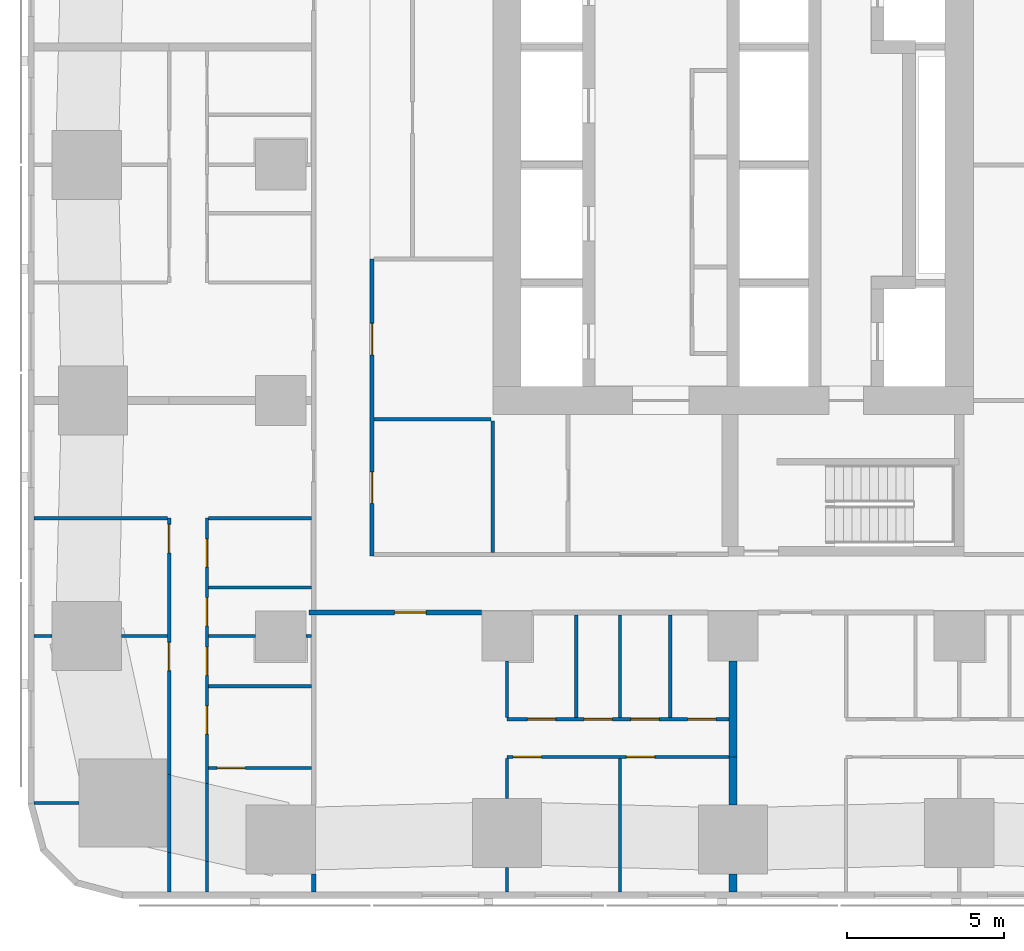
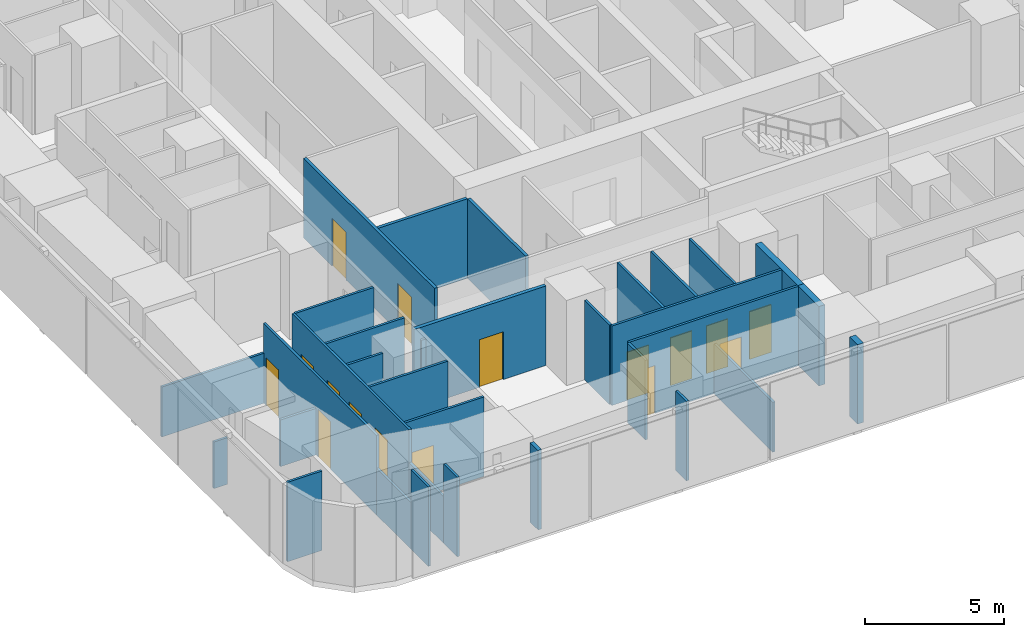
# One storey, part 2 of 15: 33 walls, 16 doors, 16 openings.
"""IFC4 building model written with IfcOpenShell, lengths in metres."""

import ifcopenshell
import ifcopenshell.guid

model = None  # the IFC model being written
_history = None  # IfcOwnerHistory: only IFC2X3 demands one
_inside = {}  # id of a spatial element -> (the spatial element, [elements in it])
_under = {}  # id of a project, library or spatial element -> (it, [spatial elements below it])
_declared = {}  # id of a project -> (the project, [libraries it declares])
_typed = {}  # id of a type object -> (the type object, [elements of that type])
_made_of = {}  # id of a material, layer set ... -> (it, [elements and type objects made of it])


def new_model(schema):
    """Start an empty IFC model of exactly this schema.

    Asked for "IFC4X3", IfcOpenShell would pick the latest addendum, in which some entities
    have other attributes; the version numbers below select the first issue.
    IFC2X3 requires an IfcOwnerHistory on every rooted entity: one is made here for all.
    """
    global model, _history
    if schema == "IFC4X3":
        model = ifcopenshell.file(schema_version=(4, 3, 0, 0))
    else:
        model = ifcopenshell.file(schema=schema)
    _inside.clear()
    _under.clear()
    _declared.clear()
    _typed.clear()
    _made_of.clear()
    _history = None
    if model.schema == "IFC2X3":
        org = make("IfcOrganization", Name="unknown")
        user = make(
            "IfcPersonAndOrganization",
            ThePerson=make("IfcPerson", FamilyName="unknown"),
            TheOrganization=org,
        )
        app = make(
            "IfcApplication",
            ApplicationDeveloper=org,
            Version="unknown",
            ApplicationFullName="unknown",
            ApplicationIdentifier="unknown",
        )
        _history = make(
            "IfcOwnerHistory",
            OwningUser=user,
            OwningApplication=app,
            ChangeAction="ADDED",
            CreationDate=0,
        )
    return model


def make(cls, **values):
    """One entity of the class cls with the attributes given. An attribute that is None is left unset."""
    return model.create_entity(
        cls, **{name: value for name, value in values.items() if value is not None}
    )


def rooted(cls, **values):
    """An entity with a GlobalId (a new one), such as an element, a storey or a relation."""
    return make(cls, GlobalId=ifcopenshell.guid.new(), OwnerHistory=_history, **values)


def si_unit(unit_type, name, prefix=None):
    """IfcSIUnit, for example si_unit("LENGTHUNIT", "METRE", prefix="MILLI")."""
    return make("IfcSIUnit", UnitType=unit_type, Prefix=prefix, Name=name)


def assignment(units):
    """IfcUnitAssignment: the units of a project."""
    return None if units is None else make("IfcUnitAssignment", Units=units)


def point(xyz):
    """IfcCartesianPoint."""
    return None if xyz is None else make("IfcCartesianPoint", Coordinates=xyz)


def direction(xyz):
    """IfcDirection."""
    return None if xyz is None else make("IfcDirection", DirectionRatios=xyz)


def frame(location, z_axis=None, x_axis=None):
    """IfcAxis2Placement3D, a coordinate frame: its origin and axes. An axis left out is left unset."""
    return make(
        "IfcAxis2Placement3D",
        Location=point(location),
        Axis=direction(z_axis),
        RefDirection=direction(x_axis),
    )


def frame_2d(location, x_axis=None):
    """IfcAxis2Placement2D, a coordinate frame in the plane: its origin and x axis."""
    return make(
        "IfcAxis2Placement2D", Location=point(location), RefDirection=direction(x_axis)
    )


def origin():
    """The frame at (0, 0, 0) with its axes left unset."""
    return frame((0.0, 0.0, 0.0))


def place(relative_to, where):
    """IfcLocalPlacement: puts the frame where relative to a parent placement (None: the world)."""
    return make(
        "IfcLocalPlacement", PlacementRelTo=relative_to, RelativePlacement=where
    )


def context(
    kind, dimensions, precision=None, world=None, true_north=None, identifier=None
):
    """IfcGeometricRepresentationContext, for example the 3D "Model" context."""
    return make(
        "IfcGeometricRepresentationContext",
        ContextIdentifier=identifier,
        ContextType=kind,
        CoordinateSpaceDimension=dimensions,
        Precision=precision,
        WorldCoordinateSystem=world,
        TrueNorth=true_north,
    )


def subcontext(parent, identifier, kind, view, scale=None):
    """IfcGeometricRepresentationSubContext, for example "Body" below "Model"."""
    return make(
        "IfcGeometricRepresentationSubContext",
        ContextIdentifier=identifier,
        ContextType=kind,
        ParentContext=parent,
        TargetScale=scale,
        TargetView=view,
    )


def project(units=None, contexts=None):
    """IfcProject with its units and contexts."""
    return rooted(
        "IfcProject",
        Name="project",
        RepresentationContexts=contexts,
        UnitsInContext=assignment(units),
    )


def spatial(cls, under=None, at=None, **own):
    """A site, building, storey or space (cls), placed at a placement, below another one or the project."""
    s = rooted(cls, ObjectPlacement=at, **own)
    if under is not None:
        _under.setdefault(under.id(), (under, []))[1].append(s)
    return s


def profile(cls, at=None, kind="AREA", **sizes):
    """A parametric profile (cls). Its sizes go by their IFC names, for example OverallWidth=200.0."""
    return make(cls, ProfileType=kind, Position=at, **sizes)


def rectangle(**sizes):
    """IfcRectangleProfileDef."""
    return profile("IfcRectangleProfileDef", **sizes)


def extrude(swept, where, along, depth):
    """IfcExtrudedAreaSolid: the profile swept, set in the frame where, extruded along a direction by depth."""
    return make(
        "IfcExtrudedAreaSolid",
        SweptArea=swept,
        Position=where,
        ExtrudedDirection=direction(along),
        Depth=depth,
    )


def shape(context_of_items, identifier, shape_type, items):
    """IfcShapeRepresentation: the items that make up one representation, for example the "Body"."""
    return make(
        "IfcShapeRepresentation",
        ContextOfItems=context_of_items,
        RepresentationIdentifier=identifier,
        RepresentationType=shape_type,
        Items=items,
    )


def material(Name=None, Category=None):
    """IfcMaterial."""
    return make("IfcMaterial", Name=Name, Category=Category)


def layer(
    of_material, thickness, ventilated=None, Name=None, Category=None, Priority=None
):
    """IfcMaterialLayer: one layer of a wall or slab, of a material (None: an air gap)."""
    return make(
        "IfcMaterialLayer",
        Material=of_material,
        LayerThickness=thickness,
        IsVentilated=ventilated,
        Name=Name,
        Category=Category,
        Priority=Priority,
    )


def layer_set(layers, Name=None):
    """IfcMaterialLayerSet."""
    return make("IfcMaterialLayerSet", MaterialLayers=layers, LayerSetName=Name)


def made_of(thing, what):
    """Note that an element or type object is made of a material, layer set ...; save() writes the relation."""
    if what is not None:
        _made_of.setdefault(what.id(), (what, []))[1].append(thing)
    return thing


def type_object(cls, material=None, **own):
    """A type object (cls), such as IfcWallType, which elements share."""
    return made_of(rooted(cls, **own), material)


def element(
    cls,
    number,
    at=None,
    inside=None,
    cuts=None,
    type_object=None,
    material=None,
    context=None,
    identifier="Body",
    shape_type=None,
    held_by="IfcProductDefinitionShape",
    body=None,
    shapes=None,
    **own,
):
    """One element of the class cls, such as IfcWall. Its Tag is "e" and its number.

    at: its placement. inside: the storey or other place that contains it. cuts: it is an
    opening in that element (IfcRelVoidsElement). A single representation is given by context,
    identifier, shape_type and body (its items); several are given by shapes. held_by: the class
    of the entity that holds the representations. save() writes the other relations.
    """
    e = rooted(cls, Tag="e%d" % number, ObjectPlacement=at, **own)
    if body is not None:
        shapes = [shape(context, identifier, shape_type, body)]
    if shapes is not None:
        e.Representation = make(held_by, Representations=shapes)
    if inside is not None:
        _inside.setdefault(inside.id(), (inside, []))[1].append(e)
    if cuts is not None:
        rooted(
            "IfcRelVoidsElement", RelatingBuildingElement=cuts, RelatedOpeningElement=e
        )
    if type_object is not None:
        _typed.setdefault(type_object.id(), (type_object, []))[1].append(e)
    return made_of(e, material)


def fill(opening, filler):
    """IfcRelFillsElement: the door or window that sits in an opening."""
    return rooted(
        "IfcRelFillsElement",
        RelatingOpeningElement=opening,
        RelatedBuildingElement=filler,
    )


def aggregate(whole, parts):
    """IfcRelAggregates: a whole, such as a stair, and the parts it consists of."""
    return rooted("IfcRelAggregates", RelatingObject=whole, RelatedObjects=parts)


def save(model, path):
    """Write the relations noted so far, then the file.

    IfcRelAggregates (storeys below a building ...), IfcRelContainedInSpatialStructure (elements
    in a storey), IfcRelDefinesByType, IfcRelAssociatesMaterial and IfcRelDeclares: one each for
    every whole, place, type object, material and project.
    """
    for whole, parts in _under.values():
        aggregate(whole, parts)
    for where, things in _inside.values():
        rooted(
            "IfcRelContainedInSpatialStructure",
            RelatedElements=things,
            RelatingStructure=where,
        )
    for kind, things in _typed.values():
        rooted("IfcRelDefinesByType", RelatedObjects=things, RelatingType=kind)
    for what, things in _made_of.values():
        rooted("IfcRelAssociatesMaterial", RelatedObjects=things, RelatingMaterial=what)
    for by, libraries in _declared.values():
        rooted("IfcRelDeclares", RelatingContext=by, RelatedDefinitions=libraries)
    model.write(path)


model = new_model("IFC4")

# Units and contexts
model_context = context("Model", 3, precision=1e-05, world=origin(), true_north=direction((0.0, 1.0)))
body_context = subcontext(model_context, "Body", "Model", "MODEL_VIEW")
ifc_project = project(units=[si_unit("LENGTHUNIT", "METRE"), si_unit("AREAUNIT", "SQUARE_METRE"), si_unit("VOLUMEUNIT", "CUBIC_METRE"), si_unit("PLANEANGLEUNIT", "RADIAN"), si_unit("MASSUNIT", "GRAM", prefix="KILO")], contexts=[model_context])

# Site, building, storey
site_placement = place(None, origin())
site = spatial("IfcSite", under=ifc_project, at=site_placement, CompositionType="ELEMENT")
building_placement = place(site_placement, origin())
building = spatial("IfcBuilding", under=site, at=building_placement, Name="Sheger Commons Tower", CompositionType="ELEMENT")
storey_placement = place(building_placement, frame((0.0, 0.0, 100.39990234375)))
storey = spatial("IfcBuildingStorey", under=building, at=storey_placement, Name="L25", CompositionType="ELEMENT", Elevation=100.39990234375)

# Wall
ifc_material_1 = material(Name="Hollow concrete block masonry, skimmed both sides", Category="masonry")
ifc_layer_1 = layer(ifc_material_1, 0.14990234375)
ifc_layer_set_1 = layer_set([ifc_layer_1], Name="CORRIDOR WALL 150")
wall_type_1 = type_object("IfcWallType", Name="CORRIDOR WALL 150", PredefinedType="SOLIDWALL", material=ifc_layer_set_1)
wall_1_placement = place(storey_placement, frame((8.25, -0.64990234375, 0.0), z_axis=(0.0, 0.0, 1.0), x_axis=(0.0, 1.0, 0.0)))
element("IfcWall", 1, at=wall_1_placement, inside=storey, type_object=wall_type_1, Name="Corridor wall L25", PredefinedType="SOLIDWALL", context=body_context, shape_type="SweptSolid", body=[
    extrude(rectangle(XDim=0.573974609375, YDim=0.14990234375, at=frame_2d((0.287109375, 0.0))), origin(), (0.0, 0.0, 1.0), 3.5),
])

# Wall, opening, door
wall_2_placement = place(storey_placement, frame((13.59912109375, 8.25, 0.0), z_axis=(0.0, 0.0, 1.0), x_axis=(-1.0, 0.0, 0.0)))
wall_2 = element("IfcWall", 2, at=wall_2_placement, inside=storey, type_object=wall_type_1, Name="Corridor wall L25", PredefinedType="SOLIDWALL", context=body_context, shape_type="SweptSolid", body=[
    extrude(rectangle(XDim=5.4990234375, YDim=0.14990234375, at=frame_2d((2.74951171875, 0.0))), origin(), (0.0, 0.0, 1.0), 3.5),
])
opening_1_placement = place(wall_2_placement, frame((1.77392578125, 0.0, 0.0)))
opening_1 = element("IfcOpeningElement", 3, at=opening_1_placement, cuts=wall_2, Name="Opening D1", PredefinedType="OPENING", context=body_context, shape_type="SweptSolid", body=[
    extrude(rectangle(XDim=1.0, YDim=2.10009765625, at=frame_2d((0.5, 1.050048828125))), frame((0.0, 0.0849609375, 0.0), z_axis=(0.0, -1.0, 0.0), x_axis=(1.0, 0.0, 0.0)), (0.0, 0.0, 1.0), 0.169921875),
])
ifc_material_2 = material(Name="Steel door set, fire rated", Category="steel")
door_type_1 = type_object("IfcDoorType", Name="FLAT ENTRANCE DOOR 1000x2100", OperationType="NOTDEFINED", PredefinedType="DOOR", material=ifc_material_2)
door_1_placement = place(opening_1_placement, origin())
door_1 = element("IfcDoor", 4, at=door_1_placement, inside=storey, type_object=door_type_1, Name="Flat entrance door", OperationType="SINGLE_SWING_RIGHT", OverallHeight=2.10009765625, OverallWidth=1.0, PredefinedType="DOOR", context=body_context, shape_type="SweptSolid", body=[
    extrude(rectangle(XDim=1.0, YDim=2.10009765625, at=frame_2d((0.5, 1.050048828125))), frame((0.0, 0.02490234375, 0.0), z_axis=(0.0, -1.0, 0.0), x_axis=(1.0, 0.0, 0.0)), (0.0, 0.0, 1.0), 0.050048828125),
])
fill(opening_1, door_1)

# Walls
ifc_material_3 = material(Name="Dense concrete block masonry, plastered both sides (separating wall between flats)", Category="masonry")
ifc_layer_2 = layer(ifc_material_3, 0.25)
ifc_layer_set_2 = layer_set([ifc_layer_2], Name="DEMISING WALL 250")
wall_type_2 = type_object("IfcWallType", Name="DEMISING WALL 250", PredefinedType="SOLIDWALL", material=ifc_layer_set_2)
wall_3_placement = place(storey_placement, frame((21.60009765625, -0.64990234375, 0.0), z_axis=(0.0, 0.0, 1.0), x_axis=(0.0, 1.0, 0.0)))
element("IfcWall", 5, at=wall_3_placement, inside=storey, type_object=wall_type_2, Name="Demising wall L25", PredefinedType="SOLIDWALL", context=body_context, shape_type="SweptSolid", body=[
    extrude(rectangle(XDim=0.573974609375, YDim=0.25, at=frame_2d((0.287109375, 0.0))), origin(), (0.0, 0.0, 1.0), 3.5),
])
wall_4_placement = place(storey_placement, frame((21.60009765625, 2.1259765625, 0.0), z_axis=(0.0, 0.0, 1.0), x_axis=(0.0, 1.0, 0.0)))
element("IfcWall", 6, at=wall_4_placement, inside=storey, type_object=wall_type_2, Name="Demising wall L25", PredefinedType="SOLIDWALL", context=body_context, shape_type="SweptSolid", body=[
    extrude(rectangle(XDim=1.52392578125, YDim=0.25, at=frame_2d((0.761962890625, 0.0))), origin(), (0.0, 0.0, 1.0), 3.5),
])
wall_5_placement = place(storey_placement, frame((21.60009765625, 3.64990234375, 0.0), z_axis=(0.0, 0.0, 1.0), x_axis=(0.0, 1.0, 0.0)))
element("IfcWall", 7, at=wall_5_placement, inside=storey, type_object=wall_type_2, Name="Demising wall L25", PredefinedType="SOLIDWALL", context=body_context, shape_type="SweptSolid", body=[
    extrude(rectangle(XDim=3.049072265625, YDim=0.25, at=frame_2d((1.5244140625, 0.0))), origin(), (0.0, 0.0, 1.0), 3.5),
])
ifc_material_4 = material(Name="Gypsum board on steel studs", Category="steel")
ifc_layer_3 = layer(ifc_material_4, 0.10009765625)
ifc_layer_set_3 = layer_set([ifc_layer_3], Name="PARTITION 100")
wall_type_3 = type_object("IfcWallType", Name="PARTITION 100", PredefinedType="PARTITIONING", material=ifc_layer_set_3)
wall_6_placement = place(storey_placement, frame((3.64990234375, -0.64990234375, 0.0), z_axis=(0.0, 0.0, 1.0), x_axis=(0.0, 1.0, 0.0)))
element("IfcWall", 8, at=wall_6_placement, inside=storey, type_object=wall_type_3, Name="Partition L25", PredefinedType="PARTITIONING", context=body_context, shape_type="SweptSolid", body=[
    extrude(rectangle(XDim=1.25390625, YDim=0.10009765625, at=frame_2d((0.626953125, 0.0))), origin(), (0.0, 0.0, 1.0), 3.5),
])
wall_7_placement = place(storey_placement, frame((3.64990234375, 0.60400390625, 0.0), z_axis=(0.0, 0.0, 1.0), x_axis=(0.0, 1.0, 0.0)))
element("IfcWall", 9, at=wall_7_placement, inside=storey, type_object=wall_type_3, Name="Partition L25", PredefinedType="PARTITIONING", context=body_context, shape_type="SweptSolid", body=[
    extrude(rectangle(XDim=2.486083984375, YDim=0.10009765625, at=frame_2d((1.2431640625, 0.0))), origin(), (0.0, 0.0, 1.0), 2.050048828125),
])

# Wall, openings, doors
wall_8_placement = place(storey_placement, frame((3.64990234375, 3.090087890625, 0.0), z_axis=(0.0, 0.0, 1.0), x_axis=(0.0, 1.0, 0.0)))
wall_8 = element("IfcWall", 10, at=wall_8_placement, inside=storey, type_object=wall_type_3, Name="Partition L25", PredefinedType="PARTITIONING", context=body_context, shape_type="SweptSolid", body=[
    extrude(rectangle(XDim=8.159912109375, YDim=0.10009765625, at=frame_2d((4.080078125, 0.0))), origin(), (0.0, 0.0, 1.0), 3.5),
])
opening_2_placement = place(wall_8_placement, frame((7.06005859375, 0.0, 0.0)))
opening_2 = element("IfcOpeningElement", 11, at=opening_2_placement, cuts=wall_8, Name="Opening D2", PredefinedType="OPENING", context=body_context, shape_type="SweptSolid", body=[
    extrude(rectangle(XDim=0.89990234375, YDim=2.10009765625, at=frame_2d((0.449951171875, 1.050048828125))), frame((0.0, 0.06005859375, 0.0), z_axis=(0.0, -1.0, 0.0), x_axis=(1.0, 0.0, 0.0)), (0.0, 0.0, 1.0), 0.1201171875),
])
opening_3_placement = place(wall_8_placement, frame((3.31005859375, 0.0, 0.0)))
opening_3 = element("IfcOpeningElement", 12, at=opening_3_placement, cuts=wall_8, Name="Opening D2", PredefinedType="OPENING", context=body_context, shape_type="SweptSolid", body=[
    extrude(rectangle(XDim=0.89990234375, YDim=2.10009765625, at=frame_2d((0.449951171875, 1.050048828125))), frame((0.0, 0.06005859375, 0.0), z_axis=(0.0, -1.0, 0.0), x_axis=(1.0, 0.0, 0.0)), (0.0, 0.0, 1.0), 0.1201171875),
])
ifc_material_5 = material(Name="Timber door set", Category="wood")
door_type_2 = type_object("IfcDoorType", Name="INTERNAL DOOR 900x2100", OperationType="NOTDEFINED", PredefinedType="DOOR", material=ifc_material_5)
door_2_placement = place(opening_2_placement, origin())
door_2 = element("IfcDoor", 13, at=door_2_placement, inside=storey, type_object=door_type_2, Name="Main bedroom door", OperationType="SINGLE_SWING_RIGHT", OverallHeight=2.10009765625, OverallWidth=0.89990234375, PredefinedType="DOOR", context=body_context, shape_type="SweptSolid", body=[
    extrude(rectangle(XDim=0.89990234375, YDim=2.10009765625, at=frame_2d((0.449951171875, 1.050048828125))), frame((0.0, 0.02490234375, 0.0), z_axis=(0.0, -1.0, 0.0), x_axis=(1.0, 0.0, 0.0)), (0.0, 0.0, 1.0), 0.050048828125),
])
fill(opening_2, door_2)
door_3_placement = place(opening_3_placement, origin())
door_3 = element("IfcDoor", 14, at=door_3_placement, inside=storey, type_object=door_type_2, Name="Bedroom 2 door", OperationType="SINGLE_SWING_RIGHT", OverallHeight=2.10009765625, OverallWidth=0.89990234375, PredefinedType="DOOR", context=body_context, shape_type="SweptSolid", body=[
    extrude(rectangle(XDim=0.89990234375, YDim=2.10009765625, at=frame_2d((0.449951171875, 1.050048828125))), frame((0.0, 0.02490234375, 0.0), z_axis=(0.0, -1.0, 0.0), x_axis=(1.0, 0.0, 0.0)), (0.0, 0.0, 1.0), 0.050048828125),
])
fill(opening_3, door_3)

# Walls
wall_9_placement = place(storey_placement, frame((4.85009765625, -0.64990234375, 0.0), z_axis=(0.0, 0.0, 1.0), x_axis=(0.0, 1.0, 0.0)))
element("IfcWall", 15, at=wall_9_placement, inside=storey, type_object=wall_type_3, Name="Partition L25", PredefinedType="PARTITIONING", context=body_context, shape_type="SweptSolid", body=[
    extrude(rectangle(XDim=0.975830078125, YDim=0.10009765625, at=frame_2d((0.48779296875, 0.0))), origin(), (0.0, 0.0, 1.0), 3.5),
])
wall_10_placement = place(storey_placement, frame((4.85009765625, 0.325927734375, 0.0), z_axis=(0.0, 0.0, 1.0), x_axis=(0.0, 1.0, 0.0)))
element("IfcWall", 16, at=wall_10_placement, inside=storey, type_object=wall_type_3, Name="Partition L25", PredefinedType="PARTITIONING", context=body_context, shape_type="SweptSolid", body=[
    extrude(rectangle(XDim=2.486083984375, YDim=0.10009765625, at=frame_2d((1.2431640625, 0.0))), origin(), (0.0, 0.0, 1.0), 2.050048828125),
])

# Wall, openings, doors
wall_11_placement = place(storey_placement, frame((4.85009765625, 2.81201171875, 0.0), z_axis=(0.0, 0.0, 1.0), x_axis=(0.0, 1.0, 0.0)))
wall_11 = element("IfcWall", 17, at=wall_11_placement, inside=storey, type_object=wall_type_3, Name="Partition L25", PredefinedType="PARTITIONING", context=body_context, shape_type="SweptSolid", body=[
    extrude(rectangle(XDim=8.43798828125, YDim=0.10009765625, at=frame_2d((4.218994140625, 0.0))), origin(), (0.0, 0.0, 1.0), 3.5),
])
opening_4_placement = place(wall_11_placement, frame((6.883056640625, 0.0, 0.0)))
opening_4 = element("IfcOpeningElement", 18, at=opening_4_placement, cuts=wall_11, Name="Opening D2", PredefinedType="OPENING", context=body_context, shape_type="SweptSolid", body=[
    extrude(rectangle(XDim=0.89990234375, YDim=2.10009765625, at=frame_2d((0.449951171875, 1.050048828125))), frame((0.0, 0.06005859375, 0.0), z_axis=(0.0, -1.0, 0.0), x_axis=(1.0, 0.0, 0.0)), (0.0, 0.0, 1.0), 0.1201171875),
])
opening_5_placement = place(wall_11_placement, frame((3.43798828125, 0.0, 0.0)))
opening_5 = element("IfcOpeningElement", 19, at=opening_5_placement, cuts=wall_11, Name="Opening D2", PredefinedType="OPENING", context=body_context, shape_type="SweptSolid", body=[
    extrude(rectangle(XDim=0.89990234375, YDim=2.10009765625, at=frame_2d((0.449951171875, 1.050048828125))), frame((0.0, 0.06005859375, 0.0), z_axis=(0.0, -1.0, 0.0), x_axis=(1.0, 0.0, 0.0)), (0.0, 0.0, 1.0), 0.1201171875),
])
opening_6_placement = place(wall_11_placement, frame((5.008056640625, 0.0, 0.0)))
opening_6 = element("IfcOpeningElement", 20, at=opening_6_placement, cuts=wall_11, Name="Opening D2", PredefinedType="OPENING", context=body_context, shape_type="SweptSolid", body=[
    extrude(rectangle(XDim=0.89990234375, YDim=2.10009765625, at=frame_2d((0.449951171875, 1.050048828125))), frame((0.0, 0.06005859375, 0.0), z_axis=(0.0, -1.0, 0.0), x_axis=(1.0, 0.0, 0.0)), (0.0, 0.0, 1.0), 0.1201171875),
])
opening_7_placement = place(wall_11_placement, frame((1.56298828125, 0.0, 0.0)))
opening_7 = element("IfcOpeningElement", 21, at=opening_7_placement, cuts=wall_11, Name="Opening D2", PredefinedType="OPENING", context=body_context, shape_type="SweptSolid", body=[
    extrude(rectangle(XDim=0.89990234375, YDim=2.10009765625, at=frame_2d((0.449951171875, 1.050048828125))), frame((0.0, 0.06005859375, 0.0), z_axis=(0.0, -1.0, 0.0), x_axis=(1.0, 0.0, 0.0)), (0.0, 0.0, 1.0), 0.1201171875),
])
door_4_placement = place(opening_4_placement, origin())
door_4 = element("IfcDoor", 22, at=door_4_placement, inside=storey, type_object=door_type_2, Name="Bathroom door", OperationType="SINGLE_SWING_LEFT", OverallHeight=2.10009765625, OverallWidth=0.89990234375, PredefinedType="DOOR", context=body_context, shape_type="SweptSolid", body=[
    extrude(rectangle(XDim=0.89990234375, YDim=2.10009765625, at=frame_2d((0.449951171875, 1.050048828125))), frame((0.0, 0.02490234375, 0.0), z_axis=(0.0, -1.0, 0.0), x_axis=(1.0, 0.0, 0.0)), (0.0, 0.0, 1.0), 0.050048828125),
])
fill(opening_4, door_4)
door_5_placement = place(opening_5_placement, origin())
door_5 = element("IfcDoor", 23, at=door_5_placement, inside=storey, type_object=door_type_2, Name="Shower room door", OperationType="SINGLE_SWING_LEFT", OverallHeight=2.10009765625, OverallWidth=0.89990234375, PredefinedType="DOOR", context=body_context, shape_type="SweptSolid", body=[
    extrude(rectangle(XDim=0.89990234375, YDim=2.10009765625, at=frame_2d((0.449951171875, 1.050048828125))), frame((0.0, 0.02490234375, 0.0), z_axis=(0.0, -1.0, 0.0), x_axis=(1.0, 0.0, 0.0)), (0.0, 0.0, 1.0), 0.050048828125),
])
fill(opening_5, door_5)
door_6_placement = place(opening_6_placement, origin())
door_6 = element("IfcDoor", 24, at=door_6_placement, inside=storey, type_object=door_type_2, Name="Store door", OperationType="SINGLE_SWING_RIGHT", OverallHeight=2.10009765625, OverallWidth=0.89990234375, PredefinedType="DOOR", context=body_context, shape_type="SweptSolid", body=[
    extrude(rectangle(XDim=0.89990234375, YDim=2.10009765625, at=frame_2d((0.449951171875, 1.050048828125))), frame((0.0, 0.02490234375, 0.0), z_axis=(0.0, -1.0, 0.0), x_axis=(1.0, 0.0, 0.0)), (0.0, 0.0, 1.0), 0.050048828125),
])
fill(opening_6, door_6)
door_7_placement = place(opening_7_placement, origin())
door_7 = element("IfcDoor", 25, at=door_7_placement, inside=storey, type_object=door_type_2, Name="Store door", OperationType="SINGLE_SWING_LEFT", OverallHeight=2.10009765625, OverallWidth=0.89990234375, PredefinedType="DOOR", context=body_context, shape_type="SweptSolid", body=[
    extrude(rectangle(XDim=0.89990234375, YDim=2.10009765625, at=frame_2d((0.449951171875, 1.050048828125))), frame((0.0, 0.02490234375, 0.0), z_axis=(0.0, -1.0, 0.0), x_axis=(1.0, 0.0, 0.0)), (0.0, 0.0, 1.0), 0.050048828125),
])
fill(opening_7, door_7)

# Walls
wall_12_placement = place(storey_placement, frame((-0.64990234375, 2.18603515625, 0.0), z_axis=(0.0, 0.0, 1.0), x_axis=(1.0, 0.0, 0.0)))
element("IfcWall", 26, at=wall_12_placement, inside=storey, type_object=wall_type_3, Name="Partition L25", PredefinedType="PARTITIONING", context=body_context, shape_type="SweptSolid", body=[
    extrude(rectangle(XDim=1.434814453125, YDim=0.10009765625, at=frame_2d((0.71728515625, 0.0))), origin(), (0.0, 0.0, 1.0), 3.5),
])
wall_13_placement = place(storey_placement, frame((-0.64990234375, 7.5, 0.0), z_axis=(0.0, 0.0, 1.0), x_axis=(1.0, 0.0, 0.0)))
element("IfcWall", 27, at=wall_13_placement, inside=storey, type_object=wall_type_3, Name="Partition L25", PredefinedType="PARTITIONING", context=body_context, shape_type="SweptSolid", body=[
    extrude(rectangle(XDim=0.573974609375, YDim=0.10009765625, at=frame_2d((0.287109375, 0.0))), origin(), (0.0, 0.0, 1.0), 2.050048828125),
])
wall_14_placement = place(storey_placement, frame((2.1259765625, 7.5, 0.0), z_axis=(0.0, 0.0, 1.0), x_axis=(1.0, 0.0, 0.0)))
element("IfcWall", 28, at=wall_14_placement, inside=storey, type_object=wall_type_3, Name="Partition L25", PredefinedType="PARTITIONING", context=body_context, shape_type="SweptSolid", body=[
    extrude(rectangle(XDim=1.47412109375, YDim=0.10009765625, at=frame_2d((0.737060546875, 0.0))), origin(), (0.0, 0.0, 1.0), 2.050048828125),
])
wall_15_placement = place(storey_placement, frame((-0.64990234375, 11.25, 0.0), z_axis=(0.0, 0.0, 1.0), x_axis=(1.0, 0.0, 0.0)))
element("IfcWall", 29, at=wall_15_placement, inside=storey, type_object=wall_type_3, Name="Partition L25", PredefinedType="PARTITIONING", context=body_context, shape_type="SweptSolid", body=[
    extrude(rectangle(XDim=4.25, YDim=0.10009765625, at=frame_2d((2.125, 0.0))), origin(), (0.0, 0.0, 1.0), 2.2001953125),
])
wall_16_placement = place(storey_placement, frame((4.89990234375, 7.5, 0.0), z_axis=(0.0, 0.0, 1.0), x_axis=(1.0, 0.0, 0.0)))
element("IfcWall", 30, at=wall_16_placement, inside=storey, type_object=wall_type_3, Name="Partition L25", PredefinedType="PARTITIONING", context=body_context, shape_type="SweptSolid", body=[
    extrude(rectangle(XDim=1.4990234375, YDim=0.10009765625, at=frame_2d((0.74951171875, 0.0))), origin(), (0.0, 0.0, 1.0), 3.5),
])
wall_17_placement = place(storey_placement, frame((8.0009765625, 7.5, 0.0), z_axis=(0.0, 0.0, 1.0), x_axis=(1.0, 0.0, 0.0)))
element("IfcWall", 31, at=wall_17_placement, inside=storey, type_object=wall_type_3, Name="Partition L25", PredefinedType="PARTITIONING", context=body_context, shape_type="SweptSolid", body=[
    extrude(rectangle(XDim=0.174072265625, YDim=0.10009765625, at=frame_2d((0.0869140625, 0.0))), origin(), (0.0, 0.0, 1.0), 3.5),
])
for number, where, z_axis, x_axis, name in (
    (32, (4.89990234375, 11.25, 0.0), (0.0, 0.0, 1.0), (1.0, 0.0, 0.0), "Partition L25"),
    (33, (4.89990234375, 9.0400390625, 0.0), (0.0, 0.0, 1.0), (1.0, 0.0, 0.0), "Partition L25"),
    (34, (4.89990234375, 5.89990234375, 0.0), (0.0, 0.0, 1.0), (1.0, 0.0, 0.0), "Partition L25"),
):
    element("IfcWall", number, at=place(storey_placement, frame(where, z_axis=z_axis, x_axis=x_axis)), inside=storey, type_object=wall_type_3, Name=name, PredefinedType="PARTITIONING", context=body_context, shape_type="SweptSolid", body=[
        extrude(rectangle(XDim=3.275146484375, YDim=0.10009765625, at=frame_2d((1.6376953125, 0.0))), origin(), (0.0, 0.0, 1.0), 3.5),
    ])

# Wall, openings, doors
wall_18_placement = place(storey_placement, frame((21.47509765625, 3.64990234375, 0.0), z_axis=(0.0, 0.0, 1.0), x_axis=(-1.0, 0.0, 0.0)))
wall_18 = element("IfcWall", 35, at=wall_18_placement, inside=storey, type_object=wall_type_3, Name="Partition L25", PredefinedType="PARTITIONING", context=body_context, shape_type="SweptSolid", body=[
    extrude(rectangle(XDim=7.0751953125, YDim=0.10009765625, at=frame_2d((3.53759765625, 0.0))), origin(), (0.0, 0.0, 1.0), 3.5),
])
opening_8_placement = place(wall_18_placement, frame((5.97509765625, 0.0, 0.0)))
opening_8 = element("IfcOpeningElement", 36, at=opening_8_placement, cuts=wall_18, Name="Opening D2", PredefinedType="OPENING", context=body_context, shape_type="SweptSolid", body=[
    extrude(rectangle(XDim=0.89990234375, YDim=2.10009765625, at=frame_2d((0.449951171875, 1.050048828125))), frame((0.0, 0.06005859375, 0.0), z_axis=(0.0, -1.0, 0.0), x_axis=(1.0, 0.0, 0.0)), (0.0, 0.0, 1.0), 0.1201171875),
])
opening_9_placement = place(wall_18_placement, frame((2.375, 0.0, 0.0)))
opening_9 = element("IfcOpeningElement", 37, at=opening_9_placement, cuts=wall_18, Name="Opening D2", PredefinedType="OPENING", context=body_context, shape_type="SweptSolid", body=[
    extrude(rectangle(XDim=0.89990234375, YDim=2.10009765625, at=frame_2d((0.449951171875, 1.050048828125))), frame((0.0, 0.06005859375, 0.0), z_axis=(0.0, -1.0, 0.0), x_axis=(1.0, 0.0, 0.0)), (0.0, 0.0, 1.0), 0.1201171875),
])
door_8_placement = place(opening_8_placement, origin())
door_8 = element("IfcDoor", 38, at=door_8_placement, inside=storey, type_object=door_type_2, Name="Main bedroom door", OperationType="SINGLE_SWING_RIGHT", OverallHeight=2.10009765625, OverallWidth=0.89990234375, PredefinedType="DOOR", context=body_context, shape_type="SweptSolid", body=[
    extrude(rectangle(XDim=0.89990234375, YDim=2.10009765625, at=frame_2d((0.449951171875, 1.050048828125))), frame((0.0, 0.02490234375, 0.0), z_axis=(0.0, -1.0, 0.0), x_axis=(1.0, 0.0, 0.0)), (0.0, 0.0, 1.0), 0.050048828125),
])
fill(opening_8, door_8)
door_9_placement = place(opening_9_placement, origin())
door_9 = element("IfcDoor", 39, at=door_9_placement, inside=storey, type_object=door_type_2, Name="Bedroom 2 door", OperationType="SINGLE_SWING_RIGHT", OverallHeight=2.10009765625, OverallWidth=0.89990234375, PredefinedType="DOOR", context=body_context, shape_type="SweptSolid", body=[
    extrude(rectangle(XDim=0.89990234375, YDim=2.10009765625, at=frame_2d((0.449951171875, 1.050048828125))), frame((0.0, 0.02490234375, 0.0), z_axis=(0.0, -1.0, 0.0), x_axis=(1.0, 0.0, 0.0)), (0.0, 0.0, 1.0), 0.050048828125),
])
fill(opening_9, door_9)

wall_19_placement = place(storey_placement, frame((21.47509765625, 4.85009765625, 0.0), z_axis=(0.0, 0.0, 1.0), x_axis=(-1.0, 0.0, 0.0)))
wall_19 = element("IfcWall", 40, at=wall_19_placement, inside=storey, type_object=wall_type_3, Name="Partition L25", PredefinedType="PARTITIONING", context=body_context, shape_type="SweptSolid", body=[
    extrude(rectangle(XDim=7.0751953125, YDim=0.10009765625, at=frame_2d((3.53759765625, 0.0))), origin(), (0.0, 0.0, 1.0), 3.5),
])
opening_10_placement = place(wall_19_placement, frame((5.52001953125, 0.0, 0.0)))
opening_10 = element("IfcOpeningElement", 41, at=opening_10_placement, cuts=wall_19, Name="Opening D2", PredefinedType="OPENING", context=body_context, shape_type="SweptSolid", body=[
    extrude(rectangle(XDim=0.89990234375, YDim=2.10009765625, at=frame_2d((0.449951171875, 1.050048828125))), frame((0.0, 0.06005859375, 0.0), z_axis=(0.0, -1.0, 0.0), x_axis=(1.0, 0.0, 0.0)), (0.0, 0.0, 1.0), 0.1201171875),
])
opening_11_placement = place(wall_19_placement, frame((2.22509765625, 0.0, 0.0)))
opening_11 = element("IfcOpeningElement", 42, at=opening_11_placement, cuts=wall_19, Name="Opening D2", PredefinedType="OPENING", context=body_context, shape_type="SweptSolid", body=[
    extrude(rectangle(XDim=0.89990234375, YDim=2.10009765625, at=frame_2d((0.449951171875, 1.050048828125))), frame((0.0, 0.06005859375, 0.0), z_axis=(0.0, -1.0, 0.0), x_axis=(1.0, 0.0, 0.0)), (0.0, 0.0, 1.0), 0.1201171875),
])
opening_12_placement = place(wall_19_placement, frame((3.719970703125, 0.0, 0.0)))
opening_12 = element("IfcOpeningElement", 43, at=opening_12_placement, cuts=wall_19, Name="Opening D2", PredefinedType="OPENING", context=body_context, shape_type="SweptSolid", body=[
    extrude(rectangle(XDim=0.89990234375, YDim=2.10009765625, at=frame_2d((0.449951171875, 1.050048828125))), frame((0.0, 0.06005859375, 0.0), z_axis=(0.0, -1.0, 0.0), x_axis=(1.0, 0.0, 0.0)), (0.0, 0.0, 1.0), 0.1201171875),
])
opening_13_placement = place(wall_19_placement, frame((0.425048828125, 0.0, 0.0)))
opening_13 = element("IfcOpeningElement", 44, at=opening_13_placement, cuts=wall_19, Name="Opening D2", PredefinedType="OPENING", context=body_context, shape_type="SweptSolid", body=[
    extrude(rectangle(XDim=0.89990234375, YDim=2.10009765625, at=frame_2d((0.449951171875, 1.050048828125))), frame((0.0, 0.06005859375, 0.0), z_axis=(0.0, -1.0, 0.0), x_axis=(1.0, 0.0, 0.0)), (0.0, 0.0, 1.0), 0.1201171875),
])
door_10_placement = place(opening_10_placement, origin())
door_10 = element("IfcDoor", 45, at=door_10_placement, inside=storey, type_object=door_type_2, Name="Bathroom door", OperationType="SINGLE_SWING_LEFT", OverallHeight=2.10009765625, OverallWidth=0.89990234375, PredefinedType="DOOR", context=body_context, shape_type="SweptSolid", body=[
    extrude(rectangle(XDim=0.89990234375, YDim=2.10009765625, at=frame_2d((0.449951171875, 1.050048828125))), frame((0.0, 0.02490234375, 0.0), z_axis=(0.0, -1.0, 0.0), x_axis=(1.0, 0.0, 0.0)), (0.0, 0.0, 1.0), 0.050048828125),
])
fill(opening_10, door_10)
door_11_placement = place(opening_11_placement, origin())
door_11 = element("IfcDoor", 46, at=door_11_placement, inside=storey, type_object=door_type_2, Name="Shower room door", OperationType="SINGLE_SWING_RIGHT", OverallHeight=2.10009765625, OverallWidth=0.89990234375, PredefinedType="DOOR", context=body_context, shape_type="SweptSolid", body=[
    extrude(rectangle(XDim=0.89990234375, YDim=2.10009765625, at=frame_2d((0.449951171875, 1.050048828125))), frame((0.0, 0.02490234375, 0.0), z_axis=(0.0, -1.0, 0.0), x_axis=(1.0, 0.0, 0.0)), (0.0, 0.0, 1.0), 0.050048828125),
])
fill(opening_11, door_11)
door_12_placement = place(opening_12_placement, origin())
door_12 = element("IfcDoor", 47, at=door_12_placement, inside=storey, type_object=door_type_2, Name="Store door", OperationType="SINGLE_SWING_RIGHT", OverallHeight=2.10009765625, OverallWidth=0.89990234375, PredefinedType="DOOR", context=body_context, shape_type="SweptSolid", body=[
    extrude(rectangle(XDim=0.89990234375, YDim=2.10009765625, at=frame_2d((0.449951171875, 1.050048828125))), frame((0.0, 0.02490234375, 0.0), z_axis=(0.0, -1.0, 0.0), x_axis=(1.0, 0.0, 0.0)), (0.0, 0.0, 1.0), 0.050048828125),
])
fill(opening_12, door_12)
door_13_placement = place(opening_13_placement, origin())
door_13 = element("IfcDoor", 48, at=door_13_placement, inside=storey, type_object=door_type_2, Name="Store door", OperationType="SINGLE_SWING_RIGHT", OverallHeight=2.10009765625, OverallWidth=0.89990234375, PredefinedType="DOOR", context=body_context, shape_type="SweptSolid", body=[
    extrude(rectangle(XDim=0.89990234375, YDim=2.10009765625, at=frame_2d((0.449951171875, 1.050048828125))), frame((0.0, 0.02490234375, 0.0), z_axis=(0.0, -1.0, 0.0), x_axis=(1.0, 0.0, 0.0)), (0.0, 0.0, 1.0), 0.050048828125),
])
fill(opening_13, door_13)

# Walls
wall_20_placement = place(storey_placement, frame((14.39990234375, -0.64990234375, 0.0), z_axis=(0.0, 0.0, 1.0), x_axis=(0.0, 1.0, 0.0)))
element("IfcWall", 49, at=wall_20_placement, inside=storey, type_object=wall_type_3, Name="Partition L25", PredefinedType="PARTITIONING", context=body_context, shape_type="SweptSolid", body=[
    extrude(rectangle(XDim=0.77392578125, YDim=0.10009765625, at=frame_2d((0.386962890625, 0.0))), origin(), (0.0, 0.0, 1.0), 3.5),
])
wall_21_placement = place(storey_placement, frame((14.39990234375, 2.325927734375, 0.0), z_axis=(0.0, 0.0, 1.0), x_axis=(0.0, 1.0, 0.0)))
element("IfcWall", 50, at=wall_21_placement, inside=storey, type_object=wall_type_3, Name="Partition L25", PredefinedType="PARTITIONING", context=body_context, shape_type="SweptSolid", body=[
    extrude(rectangle(XDim=1.274169921875, YDim=0.10009765625, at=frame_2d((0.63720703125, 0.0))), origin(), (0.0, 0.0, 1.0), 3.5),
])
wall_22_placement = place(storey_placement, frame((18.0, -0.64990234375, 0.0), z_axis=(0.0, 0.0, 1.0), x_axis=(0.0, 1.0, 0.0)))
element("IfcWall", 51, at=wall_22_placement, inside=storey, type_object=wall_type_3, Name="Partition L25", PredefinedType="PARTITIONING", context=body_context, shape_type="SweptSolid", body=[
    extrude(rectangle(XDim=4.25, YDim=0.10009765625, at=frame_2d((2.125, 0.0))), origin(), (0.0, 0.0, 1.0), 2.2001953125),
])
wall_23_placement = place(storey_placement, frame((14.39990234375, 4.89990234375, 0.0), z_axis=(0.0, 0.0, 1.0), x_axis=(0.0, 1.0, 0.0)))
element("IfcWall", 52, at=wall_23_placement, inside=storey, type_object=wall_type_3, Name="Partition L25", PredefinedType="PARTITIONING", context=body_context, shape_type="SweptSolid", body=[
    extrude(rectangle(XDim=1.799072265625, YDim=0.10009765625, at=frame_2d((0.8994140625, 0.0))), origin(), (0.0, 0.0, 1.0), 3.5),
])
for number, where, z_axis, x_axis, name in (
    (53, (18.0, 4.89990234375, 0.0), (0.0, 0.0, 1.0), (0.0, 1.0, 0.0), "Partition L25"),
    (54, (16.610107421875, 4.89990234375, 0.0), (0.0, 0.0, 1.0), (0.0, 1.0, 0.0), "Partition L25"),
    (55, (19.60009765625, 4.89990234375, 0.0), (0.0, 0.0, 1.0), (0.0, 1.0, 0.0), "Partition L25"),
):
    element("IfcWall", number, at=place(storey_placement, frame(where, z_axis=z_axis, x_axis=x_axis)), inside=storey, type_object=wall_type_3, Name=name, PredefinedType="PARTITIONING", context=body_context, shape_type="SweptSolid", body=[
        extrude(rectangle(XDim=3.275146484375, YDim=0.10009765625, at=frame_2d((1.6376953125, 0.0))), origin(), (0.0, 0.0, 1.0), 3.5),
    ])

# Wall, opening, door
wall_24_placement = place(storey_placement, frame((8.175048828125, 3.300048828125, 0.0), z_axis=(0.0, 0.0, 1.0), x_axis=(-1.0, 0.0, 0.0)))
wall_24 = element("IfcWall", 56, at=wall_24_placement, inside=storey, type_object=wall_type_3, Name="Partition L25", PredefinedType="PARTITIONING", context=body_context, shape_type="SweptSolid", body=[
    extrude(rectangle(XDim=3.275146484375, YDim=0.10009765625, at=frame_2d((1.6376953125, 0.0))), origin(), (0.0, 0.0, 1.0), 3.5),
])
opening_14_placement = place(wall_24_placement, frame((2.10009765625, 0.0, 0.0)))
opening_14 = element("IfcOpeningElement", 57, at=opening_14_placement, cuts=wall_24, Name="Opening D2", PredefinedType="OPENING", context=body_context, shape_type="SweptSolid", body=[
    extrude(rectangle(XDim=0.89990234375, YDim=2.10009765625, at=frame_2d((0.449951171875, 1.050048828125))), frame((0.0, 0.06005859375, 0.0), z_axis=(0.0, -1.0, 0.0), x_axis=(1.0, 0.0, 0.0)), (0.0, 0.0, 1.0), 0.1201171875),
])
door_14_placement = place(opening_14_placement, origin())
door_14 = element("IfcDoor", 58, at=door_14_placement, inside=storey, type_object=door_type_2, Name="Store door", OperationType="SINGLE_SWING_LEFT", OverallHeight=2.10009765625, OverallWidth=0.89990234375, PredefinedType="DOOR", context=body_context, shape_type="SweptSolid", body=[
    extrude(rectangle(XDim=0.89990234375, YDim=2.10009765625, at=frame_2d((0.449951171875, 1.050048828125))), frame((0.0, 0.02490234375, 0.0), z_axis=(0.0, -1.0, 0.0), x_axis=(1.0, 0.0, 0.0)), (0.0, 0.0, 1.0), 0.050048828125),
])
fill(opening_14, door_14)

# Wall, openings, doors
ifc_material_6 = material(Name="Gypsum board on steel studs, two layers each side, fire rated", Category="steel")
ifc_layer_4 = layer(ifc_material_6, 0.125)
ifc_layer_set_4 = layer_set([ifc_layer_4], Name="SERVICE WALL 125")
wall_type_4 = type_object("IfcWallType", Name="SERVICE WALL 125", PredefinedType="PARTITIONING", material=ifc_layer_set_4)
wall_25_placement = place(storey_placement, frame((10.10009765625, 10.050048828125, 0.0), z_axis=(0.0, 0.0, 1.0), x_axis=(0.0, 1.0, 0.0)))
wall_25 = element("IfcWall", 59, at=wall_25_placement, inside=storey, type_object=wall_type_4, Name="Service room wall L25", PredefinedType="PARTITIONING", context=body_context, shape_type="SweptSolid", body=[
    extrude(rectangle(XDim=9.449951171875, YDim=0.125, at=frame_2d((4.72509765625, 0.0))), origin(), (0.0, 0.0, 1.0), 3.5),
])
opening_15_placement = place(wall_25_placement, frame((1.675048828125, 0.0, 0.0)))
opening_15 = element("IfcOpeningElement", 60, at=opening_15_placement, cuts=wall_25, Name="Opening D4", PredefinedType="OPENING", context=body_context, shape_type="SweptSolid", body=[
    extrude(rectangle(XDim=1.0, YDim=2.10009765625, at=frame_2d((0.5, 1.050048828125))), frame((0.0, 0.072509765625, 0.0), z_axis=(0.0, -1.0, 0.0), x_axis=(1.0, 0.0, 0.0)), (0.0, 0.0, 1.0), 0.14501953125),
])
opening_16_placement = place(wall_25_placement, frame((6.39990234375, 0.0, 0.0)))
opening_16 = element("IfcOpeningElement", 61, at=opening_16_placement, cuts=wall_25, Name="Opening D4", PredefinedType="OPENING", context=body_context, shape_type="SweptSolid", body=[
    extrude(rectangle(XDim=1.0, YDim=2.10009765625, at=frame_2d((0.5, 1.050048828125))), frame((0.0, 0.072509765625, 0.0), z_axis=(0.0, -1.0, 0.0), x_axis=(1.0, 0.0, 0.0)), (0.0, 0.0, 1.0), 0.14501953125),
])
ifc_material_7 = material(Name="Steel door set, fire rated", Category="steel")
door_type_3 = type_object("IfcDoorType", Name="SERVICE DOOR 1000x2100", OperationType="NOTDEFINED", PredefinedType="DOOR", material=ifc_material_7)
door_15_placement = place(opening_15_placement, origin())
door_15 = element("IfcDoor", 62, at=door_15_placement, inside=storey, type_object=door_type_3, Name="Refuse chute room door", OperationType="SINGLE_SWING_RIGHT", OverallHeight=2.10009765625, OverallWidth=1.0, PredefinedType="DOOR", context=body_context, shape_type="SweptSolid", body=[
    extrude(rectangle(XDim=1.0, YDim=2.10009765625, at=frame_2d((0.5, 1.050048828125))), frame((0.0, 0.02490234375, 0.0), z_axis=(0.0, -1.0, 0.0), x_axis=(1.0, 0.0, 0.0)), (0.0, 0.0, 1.0), 0.050048828125),
])
fill(opening_15, door_15)
door_16_placement = place(opening_16_placement, origin())
door_16 = element("IfcDoor", 63, at=door_16_placement, inside=storey, type_object=door_type_3, Name="Caretaker's store door", OperationType="SINGLE_SWING_LEFT", OverallHeight=2.10009765625, OverallWidth=1.0, PredefinedType="DOOR", context=body_context, shape_type="SweptSolid", body=[
    extrude(rectangle(XDim=1.0, YDim=2.10009765625, at=frame_2d((0.5, 1.050048828125))), frame((0.0, 0.02490234375, 0.0), z_axis=(0.0, -1.0, 0.0), x_axis=(1.0, 0.0, 0.0)), (0.0, 0.0, 1.0), 0.050048828125),
])
fill(opening_16, door_16)

# Walls
wall_26_placement = place(storey_placement, frame((10.1630859375, 14.39990234375, 0.0), z_axis=(0.0, 0.0, 1.0), x_axis=(1.0, 0.0, 0.0)))
element("IfcWall", 64, at=wall_26_placement, inside=storey, type_object=wall_type_4, Name="Service room wall L25", PredefinedType="PARTITIONING", context=body_context, shape_type="SweptSolid", body=[
    extrude(rectangle(XDim=3.724853515625, YDim=0.125, at=frame_2d((1.8623046875, 0.0))), origin(), (0.0, 0.0, 1.0), 3.5),
])
wall_27_placement = place(storey_placement, frame((13.949951171875, 10.1630859375, 0.0), z_axis=(0.0, 0.0, 1.0), x_axis=(0.0, 1.0, 0.0)))
element("IfcWall", 65, at=wall_27_placement, inside=storey, type_object=wall_type_4, Name="Service room wall L25", PredefinedType="PARTITIONING", context=body_context, shape_type="SweptSolid", body=[
    extrude(rectangle(XDim=4.1748046875, YDim=0.125, at=frame_2d((2.08740234375, 0.0))), origin(), (0.0, 0.0, 1.0), 3.5),
])

save(model, "model.ifc")
